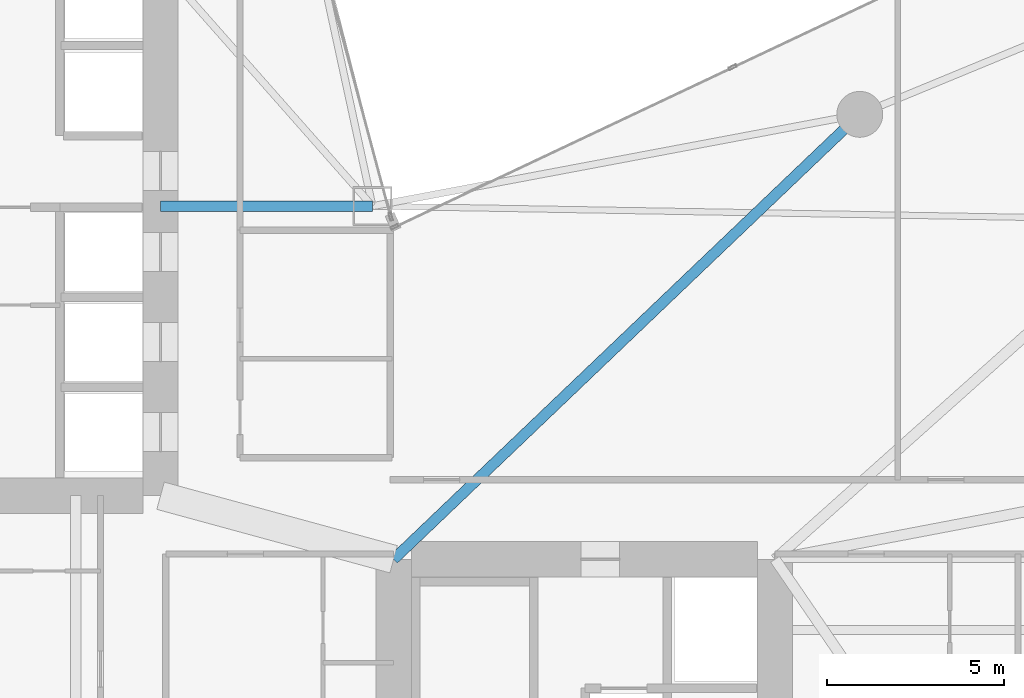
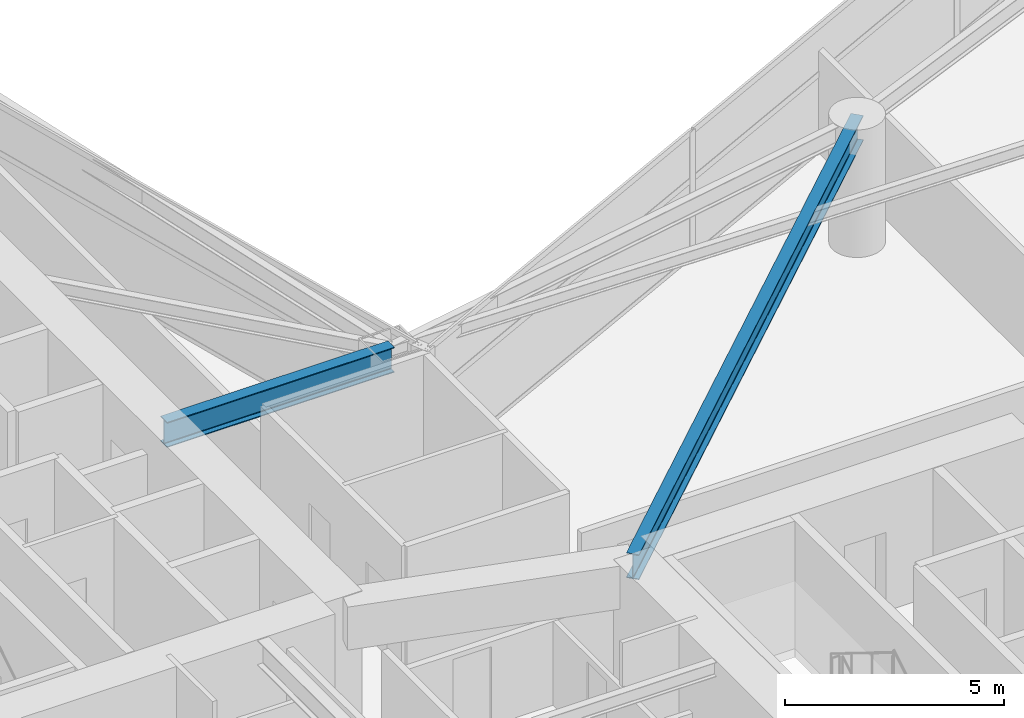
# One storey, part 9 of 30: 2 beams.
"""IFC4 building model written with IfcOpenShell, lengths in metres."""

import ifcopenshell
import ifcopenshell.guid

model = None  # the IFC model being written
_history = None  # IfcOwnerHistory: only IFC2X3 demands one
_inside = {}  # id of a spatial element -> (the spatial element, [elements in it])
_under = {}  # id of a project, library or spatial element -> (it, [spatial elements below it])
_declared = {}  # id of a project -> (the project, [libraries it declares])
_typed = {}  # id of a type object -> (the type object, [elements of that type])
_made_of = {}  # id of a material, layer set ... -> (it, [elements and type objects made of it])


def new_model(schema):
    """Start an empty IFC model of exactly this schema.

    Asked for "IFC4X3", IfcOpenShell would pick the latest addendum, in which some entities
    have other attributes; the version numbers below select the first issue.
    IFC2X3 requires an IfcOwnerHistory on every rooted entity: one is made here for all.
    """
    global model, _history
    if schema == "IFC4X3":
        model = ifcopenshell.file(schema_version=(4, 3, 0, 0))
    else:
        model = ifcopenshell.file(schema=schema)
    _inside.clear()
    _under.clear()
    _declared.clear()
    _typed.clear()
    _made_of.clear()
    _history = None
    if model.schema == "IFC2X3":
        org = make("IfcOrganization", Name="unknown")
        user = make(
            "IfcPersonAndOrganization",
            ThePerson=make("IfcPerson", FamilyName="unknown"),
            TheOrganization=org,
        )
        app = make(
            "IfcApplication",
            ApplicationDeveloper=org,
            Version="unknown",
            ApplicationFullName="unknown",
            ApplicationIdentifier="unknown",
        )
        _history = make(
            "IfcOwnerHistory",
            OwningUser=user,
            OwningApplication=app,
            ChangeAction="ADDED",
            CreationDate=0,
        )
    return model


def make(cls, **values):
    """One entity of the class cls with the attributes given. An attribute that is None is left unset."""
    return model.create_entity(
        cls, **{name: value for name, value in values.items() if value is not None}
    )


def rooted(cls, **values):
    """An entity with a GlobalId (a new one), such as an element, a storey or a relation."""
    return make(cls, GlobalId=ifcopenshell.guid.new(), OwnerHistory=_history, **values)


def si_unit(unit_type, name, prefix=None):
    """IfcSIUnit, for example si_unit("LENGTHUNIT", "METRE", prefix="MILLI")."""
    return make("IfcSIUnit", UnitType=unit_type, Prefix=prefix, Name=name)


def assignment(units):
    """IfcUnitAssignment: the units of a project."""
    return None if units is None else make("IfcUnitAssignment", Units=units)


def point(xyz):
    """IfcCartesianPoint."""
    return None if xyz is None else make("IfcCartesianPoint", Coordinates=xyz)


def direction(xyz):
    """IfcDirection."""
    return None if xyz is None else make("IfcDirection", DirectionRatios=xyz)


def frame(location, z_axis=None, x_axis=None):
    """IfcAxis2Placement3D, a coordinate frame: its origin and axes. An axis left out is left unset."""
    return make(
        "IfcAxis2Placement3D",
        Location=point(location),
        Axis=direction(z_axis),
        RefDirection=direction(x_axis),
    )


def frame_2d(location, x_axis=None):
    """IfcAxis2Placement2D, a coordinate frame in the plane: its origin and x axis."""
    return make(
        "IfcAxis2Placement2D", Location=point(location), RefDirection=direction(x_axis)
    )


def origin():
    """The frame at (0, 0, 0) with its axes left unset."""
    return frame((0.0, 0.0, 0.0))


def origin_2d():
    """The frame at (0, 0) in the plane with its x axis left unset."""
    return frame_2d((0.0, 0.0))


def place(relative_to, where):
    """IfcLocalPlacement: puts the frame where relative to a parent placement (None: the world)."""
    return make(
        "IfcLocalPlacement", PlacementRelTo=relative_to, RelativePlacement=where
    )


def context(
    kind, dimensions, precision=None, world=None, true_north=None, identifier=None
):
    """IfcGeometricRepresentationContext, for example the 3D "Model" context."""
    return make(
        "IfcGeometricRepresentationContext",
        ContextIdentifier=identifier,
        ContextType=kind,
        CoordinateSpaceDimension=dimensions,
        Precision=precision,
        WorldCoordinateSystem=world,
        TrueNorth=true_north,
    )


def subcontext(parent, identifier, kind, view, scale=None):
    """IfcGeometricRepresentationSubContext, for example "Body" below "Model"."""
    return make(
        "IfcGeometricRepresentationSubContext",
        ContextIdentifier=identifier,
        ContextType=kind,
        ParentContext=parent,
        TargetScale=scale,
        TargetView=view,
    )


def project(units=None, contexts=None):
    """IfcProject with its units and contexts."""
    return rooted(
        "IfcProject",
        Name="project",
        RepresentationContexts=contexts,
        UnitsInContext=assignment(units),
    )


def spatial(cls, under=None, at=None, **own):
    """A site, building, storey or space (cls), placed at a placement, below another one or the project."""
    s = rooted(cls, ObjectPlacement=at, **own)
    if under is not None:
        _under.setdefault(under.id(), (under, []))[1].append(s)
    return s


def profile(cls, at=None, kind="AREA", **sizes):
    """A parametric profile (cls). Its sizes go by their IFC names, for example OverallWidth=200.0."""
    return make(cls, ProfileType=kind, Position=at, **sizes)


def i_section(**sizes):
    """IfcIShapeProfileDef."""
    return profile("IfcIShapeProfileDef", **sizes)


def extrude(swept, where, along, depth):
    """IfcExtrudedAreaSolid: the profile swept, set in the frame where, extruded along a direction by depth."""
    return make(
        "IfcExtrudedAreaSolid",
        SweptArea=swept,
        Position=where,
        ExtrudedDirection=direction(along),
        Depth=depth,
    )


def shape(context_of_items, identifier, shape_type, items):
    """IfcShapeRepresentation: the items that make up one representation, for example the "Body"."""
    return make(
        "IfcShapeRepresentation",
        ContextOfItems=context_of_items,
        RepresentationIdentifier=identifier,
        RepresentationType=shape_type,
        Items=items,
    )


def material(Name=None, Category=None):
    """IfcMaterial."""
    return make("IfcMaterial", Name=Name, Category=Category)


def material_profile(
    of_material, cross_section, Name=None, Category=None, Priority=None
):
    """IfcMaterialProfile: a cross section and its material."""
    return make(
        "IfcMaterialProfile",
        Name=Name,
        Material=of_material,
        Profile=cross_section,
        Priority=Priority,
        Category=Category,
    )


def profile_set(profiles, Name=None, composite=None):
    """IfcMaterialProfileSet."""
    return make(
        "IfcMaterialProfileSet",
        Name=Name,
        MaterialProfiles=profiles,
        CompositeProfile=composite,
    )


def made_of(thing, what):
    """Note that an element or type object is made of a material, layer set ...; save() writes the relation."""
    if what is not None:
        _made_of.setdefault(what.id(), (what, []))[1].append(thing)
    return thing


def type_object(cls, material=None, **own):
    """A type object (cls), such as IfcWallType, which elements share."""
    return made_of(rooted(cls, **own), material)


def element(
    cls,
    number,
    at=None,
    inside=None,
    cuts=None,
    type_object=None,
    material=None,
    context=None,
    identifier="Body",
    shape_type=None,
    held_by="IfcProductDefinitionShape",
    body=None,
    shapes=None,
    **own,
):
    """One element of the class cls, such as IfcWall. Its Tag is "e" and its number.

    at: its placement. inside: the storey or other place that contains it. cuts: it is an
    opening in that element (IfcRelVoidsElement). A single representation is given by context,
    identifier, shape_type and body (its items); several are given by shapes. held_by: the class
    of the entity that holds the representations. save() writes the other relations.
    """
    e = rooted(cls, Tag="e%d" % number, ObjectPlacement=at, **own)
    if body is not None:
        shapes = [shape(context, identifier, shape_type, body)]
    if shapes is not None:
        e.Representation = make(held_by, Representations=shapes)
    if inside is not None:
        _inside.setdefault(inside.id(), (inside, []))[1].append(e)
    if cuts is not None:
        rooted(
            "IfcRelVoidsElement", RelatingBuildingElement=cuts, RelatedOpeningElement=e
        )
    if type_object is not None:
        _typed.setdefault(type_object.id(), (type_object, []))[1].append(e)
    return made_of(e, material)


def aggregate(whole, parts):
    """IfcRelAggregates: a whole, such as a stair, and the parts it consists of."""
    return rooted("IfcRelAggregates", RelatingObject=whole, RelatedObjects=parts)


def save(model, path):
    """Write the relations noted so far, then the file.

    IfcRelAggregates (storeys below a building ...), IfcRelContainedInSpatialStructure (elements
    in a storey), IfcRelDefinesByType, IfcRelAssociatesMaterial and IfcRelDeclares: one each for
    every whole, place, type object, material and project.
    """
    for whole, parts in _under.values():
        aggregate(whole, parts)
    for where, things in _inside.values():
        rooted(
            "IfcRelContainedInSpatialStructure",
            RelatedElements=things,
            RelatingStructure=where,
        )
    for kind, things in _typed.values():
        rooted("IfcRelDefinesByType", RelatedObjects=things, RelatingType=kind)
    for what, things in _made_of.values():
        rooted("IfcRelAssociatesMaterial", RelatedObjects=things, RelatingMaterial=what)
    for by, libraries in _declared.values():
        rooted("IfcRelDeclares", RelatingContext=by, RelatedDefinitions=libraries)
    model.write(path)


model = new_model("IFC4")

# Units and contexts
model_context = context("Model", 3, precision=1e-05, world=origin(), true_north=direction((0.0, 1.0)))
body_context = subcontext(model_context, "Body", "Model", "MODEL_VIEW")
ifc_project = project(units=[si_unit("LENGTHUNIT", "METRE"), si_unit("AREAUNIT", "SQUARE_METRE"), si_unit("VOLUMEUNIT", "CUBIC_METRE"), si_unit("PLANEANGLEUNIT", "RADIAN"), si_unit("MASSUNIT", "GRAM", prefix="KILO")], contexts=[model_context])

# Site, building, storey
site_placement = place(None, origin())
site = spatial("IfcSite", under=ifc_project, at=site_placement, CompositionType="ELEMENT")
building_placement = place(site_placement, origin())
building = spatial("IfcBuilding", under=site, at=building_placement, Name="Calvorn Quay Hotel", CompositionType="ELEMENT")
storey_placement = place(building_placement, frame((0.0, 0.0, 27.0)))
storey = spatial("IfcBuildingStorey", under=building, at=storey_placement, Name="L05", CompositionType="ELEMENT", Elevation=27.0)

# Beams
ifc_material = material(Name="Steel Q390GJC", Category="steel")
ifc_material_profile = material_profile(ifc_material, i_section(OverallWidth=0.300048828125, OverallDepth=0.699951171875, WebThickness=0.012939453125, FlangeThickness=0.02392578125, FilletRadius=0.02392578125, at=origin_2d()), Name="HN700x300x13x24")
ifc_profile_set = profile_set([ifc_material_profile], Name="Steel Q390GJC")
beam_type = type_object("IfcBeamType", Name="BM-GIRD-MAIN", PredefinedType="BEAM", material=ifc_profile_set)
beam_1_placement = place(storey_placement, frame((21.0, 25.0, 3.18994140625), z_axis=(-1.0, 0.0, 0.0), x_axis=(0.0, -1.0, 0.0)))
element("IfcBeam", 1, at=beam_1_placement, inside=storey, type_object=beam_type, Name="Beam BG-L05-W7", PredefinedType="BEAM", context=body_context, shape_type="SweptSolid", body=[
    extrude(i_section(OverallWidth=0.300048828125, OverallDepth=0.699951171875, WebThickness=0.012939453125, FlangeThickness=0.02392578125, FilletRadius=0.02392578125, at=origin_2d()), origin(), (0.0, 0.0, 1.0), 6.0),
])
beam_2_placement = place(storey_placement, frame((21.60009765625, 15.0, 3.18994140625), z_axis=(0.723351595578, 0.690479883252, 0.0), x_axis=(-0.690479883252, 0.723351595578, 0.0)))
element("IfcBeam", 2, at=beam_2_placement, inside=storey, type_object=beam_type, Name="Beam BG-L05-E4", PredefinedType="BEAM", context=body_context, shape_type="SweptSolid", body=[
    extrude(i_section(OverallWidth=0.300048828125, OverallDepth=0.699951171875, WebThickness=0.012939453125, FlangeThickness=0.02392578125, FilletRadius=0.02392578125, at=origin_2d()), origin(), (0.0, 0.0, 1.0), 18.248291015625),
])

save(model, "model.ifc")
